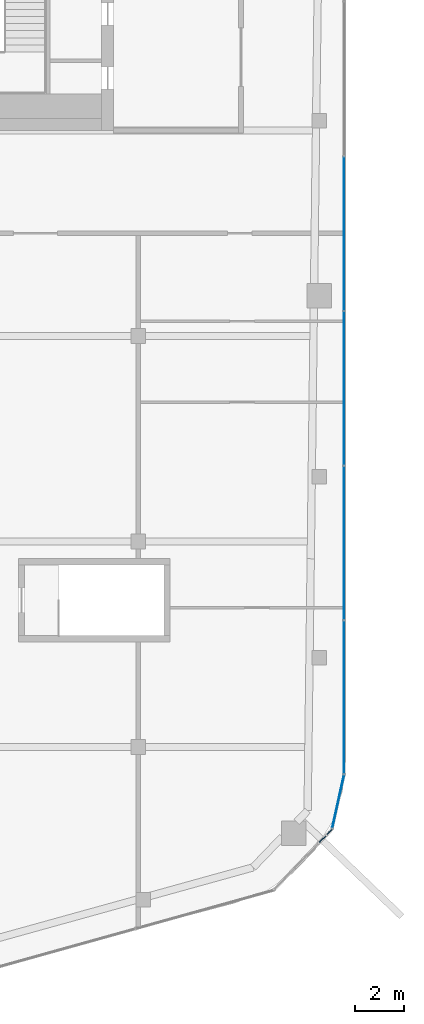
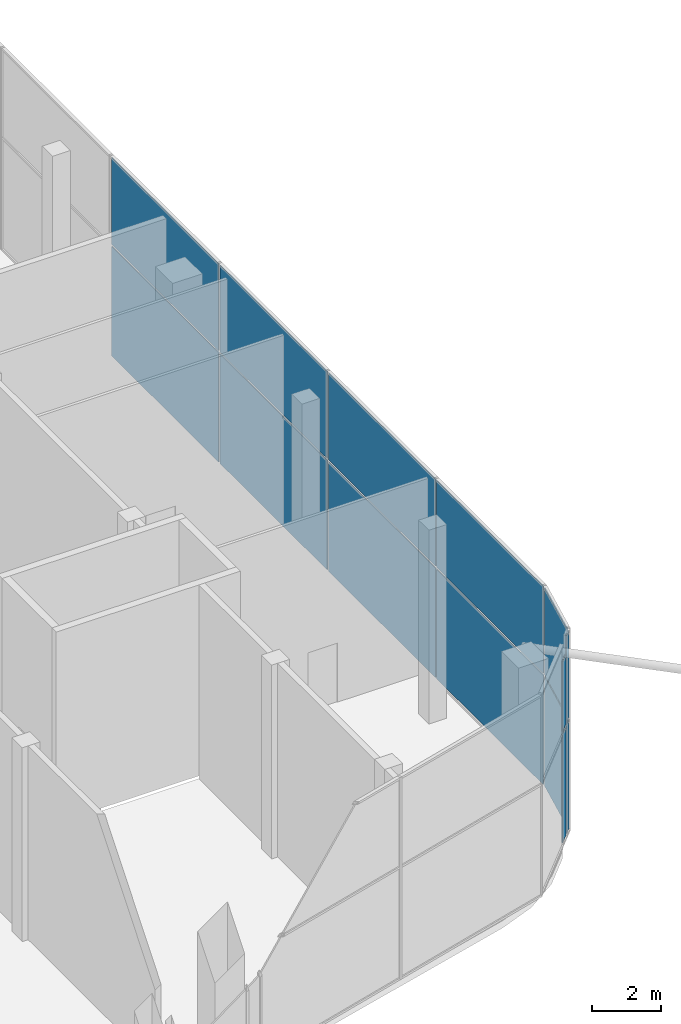
# One storey, part 15 of 23: 14 plates, 4 elements without a shape of their own.
"""IFC4 building model written with IfcOpenShell, lengths in metres."""

import ifcopenshell
import ifcopenshell.guid

model = None  # the IFC model being written
_history = None  # IfcOwnerHistory: only IFC2X3 demands one
_inside = {}  # id of a spatial element -> (the spatial element, [elements in it])
_under = {}  # id of a project, library or spatial element -> (it, [spatial elements below it])
_declared = {}  # id of a project -> (the project, [libraries it declares])
_typed = {}  # id of a type object -> (the type object, [elements of that type])
_made_of = {}  # id of a material, layer set ... -> (it, [elements and type objects made of it])


def new_model(schema):
    """Start an empty IFC model of exactly this schema.

    Asked for "IFC4X3", IfcOpenShell would pick the latest addendum, in which some entities
    have other attributes; the version numbers below select the first issue.
    IFC2X3 requires an IfcOwnerHistory on every rooted entity: one is made here for all.
    """
    global model, _history
    if schema == "IFC4X3":
        model = ifcopenshell.file(schema_version=(4, 3, 0, 0))
    else:
        model = ifcopenshell.file(schema=schema)
    _inside.clear()
    _under.clear()
    _declared.clear()
    _typed.clear()
    _made_of.clear()
    _history = None
    if model.schema == "IFC2X3":
        org = make("IfcOrganization", Name="unknown")
        user = make(
            "IfcPersonAndOrganization",
            ThePerson=make("IfcPerson", FamilyName="unknown"),
            TheOrganization=org,
        )
        app = make(
            "IfcApplication",
            ApplicationDeveloper=org,
            Version="unknown",
            ApplicationFullName="unknown",
            ApplicationIdentifier="unknown",
        )
        _history = make(
            "IfcOwnerHistory",
            OwningUser=user,
            OwningApplication=app,
            ChangeAction="ADDED",
            CreationDate=0,
        )
    return model


def make(cls, **values):
    """One entity of the class cls with the attributes given. An attribute that is None is left unset."""
    return model.create_entity(
        cls, **{name: value for name, value in values.items() if value is not None}
    )


def rooted(cls, **values):
    """An entity with a GlobalId (a new one), such as an element, a storey or a relation."""
    return make(cls, GlobalId=ifcopenshell.guid.new(), OwnerHistory=_history, **values)


def si_unit(unit_type, name, prefix=None):
    """IfcSIUnit, for example si_unit("LENGTHUNIT", "METRE", prefix="MILLI")."""
    return make("IfcSIUnit", UnitType=unit_type, Prefix=prefix, Name=name)


def assignment(units):
    """IfcUnitAssignment: the units of a project."""
    return None if units is None else make("IfcUnitAssignment", Units=units)


def point(xyz):
    """IfcCartesianPoint."""
    return None if xyz is None else make("IfcCartesianPoint", Coordinates=xyz)


def direction(xyz):
    """IfcDirection."""
    return None if xyz is None else make("IfcDirection", DirectionRatios=xyz)


def frame(location, z_axis=None, x_axis=None):
    """IfcAxis2Placement3D, a coordinate frame: its origin and axes. An axis left out is left unset."""
    return make(
        "IfcAxis2Placement3D",
        Location=point(location),
        Axis=direction(z_axis),
        RefDirection=direction(x_axis),
    )


def frame_2d(location, x_axis=None):
    """IfcAxis2Placement2D, a coordinate frame in the plane: its origin and x axis."""
    return make(
        "IfcAxis2Placement2D", Location=point(location), RefDirection=direction(x_axis)
    )


def origin():
    """The frame at (0, 0, 0) with its axes left unset."""
    return frame((0.0, 0.0, 0.0))


def origin_2d():
    """The frame at (0, 0) in the plane with its x axis left unset."""
    return frame_2d((0.0, 0.0))


def place(relative_to, where):
    """IfcLocalPlacement: puts the frame where relative to a parent placement (None: the world)."""
    return make(
        "IfcLocalPlacement", PlacementRelTo=relative_to, RelativePlacement=where
    )


def context(
    kind, dimensions, precision=None, world=None, true_north=None, identifier=None
):
    """IfcGeometricRepresentationContext, for example the 3D "Model" context."""
    return make(
        "IfcGeometricRepresentationContext",
        ContextIdentifier=identifier,
        ContextType=kind,
        CoordinateSpaceDimension=dimensions,
        Precision=precision,
        WorldCoordinateSystem=world,
        TrueNorth=true_north,
    )


def subcontext(parent, identifier, kind, view, scale=None):
    """IfcGeometricRepresentationSubContext, for example "Body" below "Model"."""
    return make(
        "IfcGeometricRepresentationSubContext",
        ContextIdentifier=identifier,
        ContextType=kind,
        ParentContext=parent,
        TargetScale=scale,
        TargetView=view,
    )


def project(units=None, contexts=None):
    """IfcProject with its units and contexts."""
    return rooted(
        "IfcProject",
        Name="project",
        RepresentationContexts=contexts,
        UnitsInContext=assignment(units),
    )


def spatial(cls, under=None, at=None, **own):
    """A site, building, storey or space (cls), placed at a placement, below another one or the project."""
    s = rooted(cls, ObjectPlacement=at, **own)
    if under is not None:
        _under.setdefault(under.id(), (under, []))[1].append(s)
    return s


def profile(cls, at=None, kind="AREA", **sizes):
    """A parametric profile (cls). Its sizes go by their IFC names, for example OverallWidth=200.0."""
    return make(cls, ProfileType=kind, Position=at, **sizes)


def rectangle(**sizes):
    """IfcRectangleProfileDef."""
    return profile("IfcRectangleProfileDef", **sizes)


def extrude(swept, where, along, depth):
    """IfcExtrudedAreaSolid: the profile swept, set in the frame where, extruded along a direction by depth."""
    return make(
        "IfcExtrudedAreaSolid",
        SweptArea=swept,
        Position=where,
        ExtrudedDirection=direction(along),
        Depth=depth,
    )


def shape(context_of_items, identifier, shape_type, items):
    """IfcShapeRepresentation: the items that make up one representation, for example the "Body"."""
    return make(
        "IfcShapeRepresentation",
        ContextOfItems=context_of_items,
        RepresentationIdentifier=identifier,
        RepresentationType=shape_type,
        Items=items,
    )


def material(Name=None, Category=None):
    """IfcMaterial."""
    return make("IfcMaterial", Name=Name, Category=Category)


def layer(
    of_material, thickness, ventilated=None, Name=None, Category=None, Priority=None
):
    """IfcMaterialLayer: one layer of a wall or slab, of a material (None: an air gap)."""
    return make(
        "IfcMaterialLayer",
        Material=of_material,
        LayerThickness=thickness,
        IsVentilated=ventilated,
        Name=Name,
        Category=Category,
        Priority=Priority,
    )


def layer_set(layers, Name=None):
    """IfcMaterialLayerSet."""
    return make("IfcMaterialLayerSet", MaterialLayers=layers, LayerSetName=Name)


def made_of(thing, what):
    """Note that an element or type object is made of a material, layer set ...; save() writes the relation."""
    if what is not None:
        _made_of.setdefault(what.id(), (what, []))[1].append(thing)
    return thing


def type_object(cls, material=None, **own):
    """A type object (cls), such as IfcWallType, which elements share."""
    return made_of(rooted(cls, **own), material)


def element(
    cls,
    number,
    at=None,
    inside=None,
    cuts=None,
    type_object=None,
    material=None,
    context=None,
    identifier="Body",
    shape_type=None,
    held_by="IfcProductDefinitionShape",
    body=None,
    shapes=None,
    **own,
):
    """One element of the class cls, such as IfcWall. Its Tag is "e" and its number.

    at: its placement. inside: the storey or other place that contains it. cuts: it is an
    opening in that element (IfcRelVoidsElement). A single representation is given by context,
    identifier, shape_type and body (its items); several are given by shapes. held_by: the class
    of the entity that holds the representations. save() writes the other relations.
    """
    e = rooted(cls, Tag="e%d" % number, ObjectPlacement=at, **own)
    if body is not None:
        shapes = [shape(context, identifier, shape_type, body)]
    if shapes is not None:
        e.Representation = make(held_by, Representations=shapes)
    if inside is not None:
        _inside.setdefault(inside.id(), (inside, []))[1].append(e)
    if cuts is not None:
        rooted(
            "IfcRelVoidsElement", RelatingBuildingElement=cuts, RelatedOpeningElement=e
        )
    if type_object is not None:
        _typed.setdefault(type_object.id(), (type_object, []))[1].append(e)
    return made_of(e, material)


def aggregate(whole, parts):
    """IfcRelAggregates: a whole, such as a stair, and the parts it consists of."""
    return rooted("IfcRelAggregates", RelatingObject=whole, RelatedObjects=parts)


def save(model, path):
    """Write the relations noted so far, then the file.

    IfcRelAggregates (storeys below a building ...), IfcRelContainedInSpatialStructure (elements
    in a storey), IfcRelDefinesByType, IfcRelAssociatesMaterial and IfcRelDeclares: one each for
    every whole, place, type object, material and project.
    """
    for whole, parts in _under.values():
        aggregate(whole, parts)
    for where, things in _inside.values():
        rooted(
            "IfcRelContainedInSpatialStructure",
            RelatedElements=things,
            RelatingStructure=where,
        )
    for kind, things in _typed.values():
        rooted("IfcRelDefinesByType", RelatedObjects=things, RelatingType=kind)
    for what, things in _made_of.values():
        rooted("IfcRelAssociatesMaterial", RelatedObjects=things, RelatingMaterial=what)
    for by, libraries in _declared.values():
        rooted("IfcRelDeclares", RelatingContext=by, RelatedDefinitions=libraries)
    model.write(path)


model = new_model("IFC4")

# Units and contexts
model_context = context("Model", 3, precision=1e-05, world=origin(), true_north=direction((0.0, 1.0)))
body_context = subcontext(model_context, "Body", "Model", "MODEL_VIEW")
ifc_project = project(units=[si_unit("LENGTHUNIT", "METRE"), si_unit("AREAUNIT", "SQUARE_METRE"), si_unit("VOLUMEUNIT", "CUBIC_METRE"), si_unit("PLANEANGLEUNIT", "RADIAN"), si_unit("MASSUNIT", "GRAM", prefix="KILO")], contexts=[model_context])

# Site, building, storey
site_placement = place(None, origin())
site = spatial("IfcSite", under=ifc_project, at=site_placement, CompositionType="ELEMENT")
building_placement = place(site_placement, origin())
building = spatial("IfcBuilding", under=site, at=building_placement, Name="Marenta Gate Hotel Tower", CompositionType="ELEMENT")
storey_placement = place(building_placement, frame((0.0, 0.0, 288.5)))
storey = spatial("IfcBuildingStorey", under=building, at=storey_placement, Name="L66", CompositionType="ELEMENT", Elevation=288.5)

# Curtain wall, plates
ifc_material_1 = material(Name="Tinted insulated glass in bronze anodised frame", Category="glass")
ifc_layer_1 = layer(ifc_material_1, 0.1201171875)
ifc_layer_set_1 = layer_set([ifc_layer_1], Name="Tinted insulated glass in bronze anodised frame")
curtain_wall_type = type_object("IfcCurtainWallType", Name="Sky restaurant glazing CW4", PredefinedType="NOTDEFINED", material=ifc_layer_set_1)
curtain_wall_1_placement = place(storey_placement, origin())
curtain_wall_1 = element("IfcCurtainWall", 1, at=curtain_wall_1_placement, inside=storey, type_object=curtain_wall_type, Name="CW4 run G16", PredefinedType="NOTDEFINED")
ifc_material_2 = material(Name="Tinted insulated glass", Category="glass")
ifc_layer_2 = layer(ifc_material_2, 0.030029296875)
ifc_layer_set_2 = layer_set([ifc_layer_2], Name="Tinted insulated glass")
plate_type = type_object("IfcPlateType", Name="Glass panel CW4 30 mm tinted insulated unit", PredefinedType="CURTAIN_PANEL", material=ifc_layer_set_2)
plate_1_placement = place(storey_placement, frame((20.134521484375, -28.968505859375, 0.070068359375), z_axis=(0.0, 0.0, 1.0), x_axis=(0.692499661278, 0.721418199888, 0.0)))
plate_1 = element("IfcPlate", 2, at=plate_1_placement, type_object=plate_type, Name="CW4 panel 1.1", PredefinedType="CURTAIN_PANEL", context=body_context, shape_type="SweptSolid", body=[
    extrude(rectangle(XDim=0.383056640625, YDim=0.030029296875, at=origin_2d()), origin(), (0.0, 0.0, 1.0), 3.89501953125),
])
plate_2_placement = place(storey_placement, frame((20.134521484375, -28.968505859375, 4.034912109375), z_axis=(0.0, 0.0, 1.0), x_axis=(0.692499661278, 0.721418199888, 0.0)))
plate_2 = element("IfcPlate", 3, at=plate_2_placement, type_object=plate_type, Name="CW4 panel 1.2", PredefinedType="CURTAIN_PANEL", context=body_context, shape_type="SweptSolid", body=[
    extrude(rectangle(XDim=0.383056640625, YDim=0.030029296875, at=origin_2d()), origin(), (0.0, 0.0, 1.0), 2.49560546875),
])
aggregate(curtain_wall_1, [plate_1, plate_2])

curtain_wall_2_placement = place(storey_placement, origin())
curtain_wall_2 = element("IfcCurtainWall", 4, at=curtain_wall_2_placement, inside=storey, type_object=curtain_wall_type, Name="CW4 run G17", PredefinedType="NOTDEFINED")
plate_3_placement = place(storey_placement, frame((20.41796875, -28.673095703125, 0.070068359375), z_axis=(0.0, 0.0, 1.0), x_axis=(0.692600152834, 0.721321723155, 0.0)))
plate_3 = element("IfcPlate", 5, at=plate_3_placement, type_object=plate_type, Name="CW4 panel 1.1", PredefinedType="CURTAIN_PANEL", context=body_context, shape_type="SweptSolid", body=[
    extrude(rectangle(XDim=0.295654296875, YDim=0.030029296875, at=origin_2d()), origin(), (0.0, 0.0, 1.0), 3.89501953125),
])
plate_4_placement = place(storey_placement, frame((20.41796875, -28.673095703125, 4.03515625), z_axis=(0.0, 0.0, 1.0), x_axis=(0.692600152834, 0.721321723155, 0.0)))
plate_4 = element("IfcPlate", 6, at=plate_4_placement, type_object=plate_type, Name="CW4 panel 1.2", PredefinedType="CURTAIN_PANEL", context=body_context, shape_type="SweptSolid", body=[
    extrude(rectangle(XDim=0.295654296875, YDim=0.030029296875, at=origin_2d()), origin(), (0.0, 0.0, 1.0), 3.094970703125),
])
aggregate(curtain_wall_2, [plate_3, plate_4])

curtain_wall_3_placement = place(storey_placement, origin())
curtain_wall_3 = element("IfcCurtainWall", 7, at=curtain_wall_3_placement, inside=storey, type_object=curtain_wall_type, Name="CW4 run G18", PredefinedType="NOTDEFINED")
plate_5_placement = place(storey_placement, frame((20.774658203125, -27.4208984375, 0.070068359375), z_axis=(0.0, 0.0, 1.0), x_axis=(0.216842096529, 0.97620669183, 0.0)))
plate_5 = element("IfcPlate", 8, at=plate_5_placement, type_object=plate_type, Name="CW4 panel 1.1", PredefinedType="CURTAIN_PANEL", context=body_context, shape_type="SweptSolid", body=[
    extrude(rectangle(XDim=2.206787109375, YDim=0.030029296875, at=origin_2d()), origin(), (0.0, 0.0, 1.0), 3.89501953125),
])
plate_6_placement = place(storey_placement, frame((20.774658203125, -27.4208984375, 4.03515625), z_axis=(0.0, 0.0, 1.0), x_axis=(0.216842096529, 0.97620669183, 0.0)))
plate_6 = element("IfcPlate", 9, at=plate_6_placement, type_object=plate_type, Name="CW4 panel 1.2", PredefinedType="CURTAIN_PANEL", context=body_context, shape_type="SweptSolid", body=[
    extrude(rectangle(XDim=2.206787109375, YDim=0.030029296875, at=origin_2d()), origin(), (0.0, 0.0, 1.0), 3.094970703125),
])
aggregate(curtain_wall_3, [plate_5, plate_6])

curtain_wall_4_placement = place(storey_placement, origin())
curtain_wall_4 = element("IfcCurtainWall", 10, at=curtain_wall_4_placement, inside=storey, type_object=curtain_wall_type, Name="CW4 run G19", PredefinedType="NOTDEFINED")
plate_7_placement = place(storey_placement, frame((21.013916015625, -23.1650390625, 0.070068359375), z_axis=(0.0, 0.0, 1.0), x_axis=(0.0, 1.0, 0.0)))
plate_7 = element("IfcPlate", 11, at=plate_7_placement, type_object=plate_type, Name="CW4 panel 1.1", PredefinedType="CURTAIN_PANEL", context=body_context, shape_type="SweptSolid", body=[
    extrude(rectangle(XDim=6.217529296875, YDim=0.030029296875, at=origin_2d()), origin(), (0.0, 0.0, 1.0), 3.89501953125),
])
plate_8_placement = place(storey_placement, frame((21.013916015625, -23.1650390625, 4.03515625), z_axis=(0.0, 0.0, 1.0), x_axis=(0.0, 1.0, 0.0)))
plate_8 = element("IfcPlate", 12, at=plate_8_placement, type_object=plate_type, Name="CW4 panel 1.2", PredefinedType="CURTAIN_PANEL", context=body_context, shape_type="SweptSolid", body=[
    extrude(rectangle(XDim=6.217529296875, YDim=0.030029296875, at=origin_2d()), origin(), (0.0, 0.0, 1.0), 3.094970703125),
])
plate_9_placement = place(storey_placement, frame((21.013916015625, -16.85986328125, 0.070068359375), z_axis=(0.0, 0.0, 1.0), x_axis=(0.0, 1.0, 0.0)))
plate_9 = element("IfcPlate", 13, at=plate_9_placement, type_object=plate_type, Name="CW4 panel 2.1", PredefinedType="CURTAIN_PANEL", context=body_context, shape_type="SweptSolid", body=[
    extrude(rectangle(XDim=6.252685546875, YDim=0.030029296875, at=origin_2d()), origin(), (0.0, 0.0, 1.0), 3.89501953125),
])
plate_10_placement = place(storey_placement, frame((21.013916015625, -16.85986328125, 4.03515625), z_axis=(0.0, 0.0, 1.0), x_axis=(0.0, 1.0, 0.0)))
plate_10 = element("IfcPlate", 14, at=plate_10_placement, type_object=plate_type, Name="CW4 panel 2.2", PredefinedType="CURTAIN_PANEL", context=body_context, shape_type="SweptSolid", body=[
    extrude(rectangle(XDim=6.252685546875, YDim=0.030029296875, at=origin_2d()), origin(), (0.0, 0.0, 1.0), 3.094970703125),
])
plate_11_placement = place(storey_placement, frame((21.013916015625, -10.537353515625, 0.070068359375), z_axis=(0.0, 0.0, 1.0), x_axis=(0.0, 1.0, 0.0)))
plate_11 = element("IfcPlate", 15, at=plate_11_placement, type_object=plate_type, Name="CW4 panel 3.1", PredefinedType="CURTAIN_PANEL", context=body_context, shape_type="SweptSolid", body=[
    extrude(rectangle(XDim=6.252685546875, YDim=0.030029296875, at=origin_2d()), origin(), (0.0, 0.0, 1.0), 3.89501953125),
])
plate_12_placement = place(storey_placement, frame((21.013916015625, -10.537353515625, 4.03515625), z_axis=(0.0, 0.0, 1.0), x_axis=(0.0, 1.0, 0.0)))
plate_12 = element("IfcPlate", 16, at=plate_12_placement, type_object=plate_type, Name="CW4 panel 3.2", PredefinedType="CURTAIN_PANEL", context=body_context, shape_type="SweptSolid", body=[
    extrude(rectangle(XDim=6.252685546875, YDim=0.030029296875, at=origin_2d()), origin(), (0.0, 0.0, 1.0), 3.094970703125),
])
plate_13_placement = place(storey_placement, frame((21.013916015625, -4.214599609375, 0.070068359375), z_axis=(0.0, 0.0, 1.0), x_axis=(0.0, 1.0, 0.0)))
plate_13 = element("IfcPlate", 17, at=plate_13_placement, type_object=plate_type, Name="CW4 panel 4.1", PredefinedType="CURTAIN_PANEL", context=body_context, shape_type="SweptSolid", body=[
    extrude(rectangle(XDim=6.252685546875, YDim=0.030029296875, at=origin_2d()), origin(), (0.0, 0.0, 1.0), 3.89501953125),
])
plate_14_placement = place(storey_placement, frame((21.013916015625, -4.214599609375, 4.03515625), z_axis=(0.0, 0.0, 1.0), x_axis=(0.0, 1.0, 0.0)))
plate_14 = element("IfcPlate", 18, at=plate_14_placement, type_object=plate_type, Name="CW4 panel 4.2", PredefinedType="CURTAIN_PANEL", context=body_context, shape_type="SweptSolid", body=[
    extrude(rectangle(XDim=6.252685546875, YDim=0.030029296875, at=origin_2d()), origin(), (0.0, 0.0, 1.0), 3.094970703125),
])
aggregate(curtain_wall_4, [plate_7, plate_8, plate_9, plate_10, plate_11, plate_12, plate_13, plate_14])

save(model, "model.ifc")
